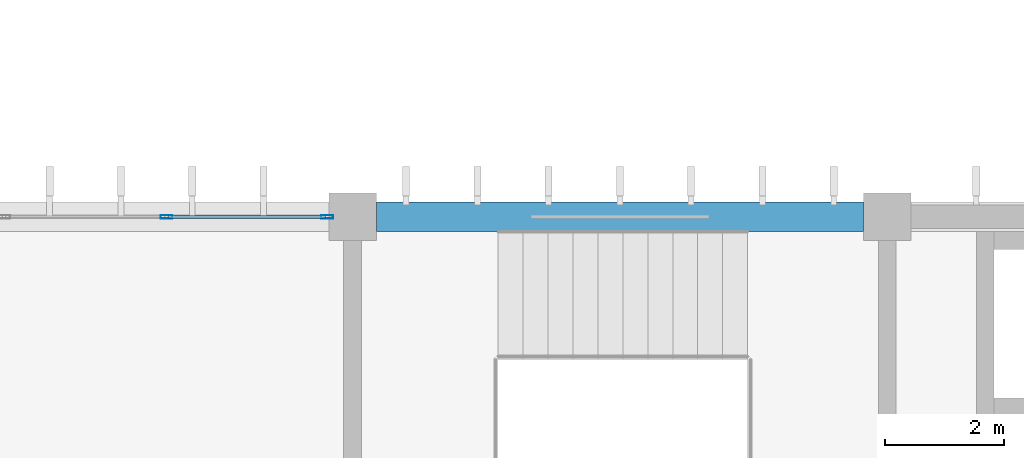
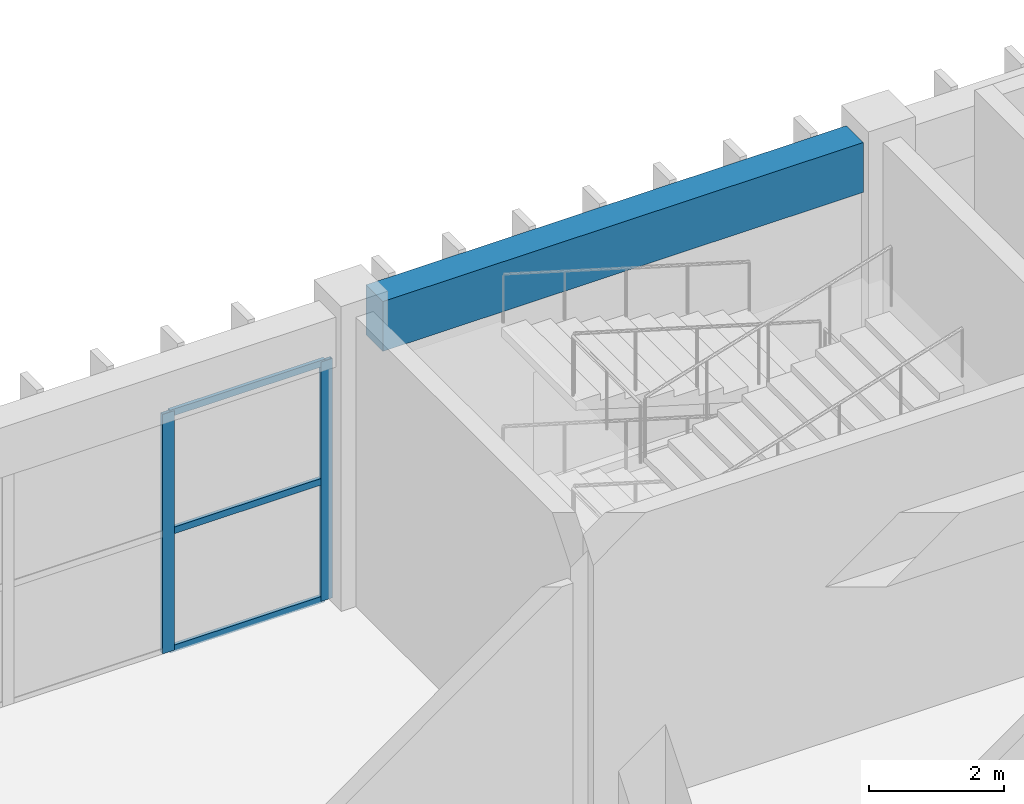
# One storey, part 83 of 185: 5 members, 1 beam, 1 element without a shape of its own.
"""IFC4 building model written with IfcOpenShell, lengths in metres."""

from ifc_helpers import new_model, si_unit, direction, frame, origin, origin_2d, place, context, subcontext, project, spatial, rectangle, hollow_rectangle, extrude, material, layer, layer_set, material_profile, profile_set, type_object, element, aggregate, save


model = new_model("IFC4")

# Units and contexts
model_context = context("Model", 3, precision=1e-05, world=origin(), true_north=direction((0.0, 1.0)))
body_context = subcontext(model_context, "Body", "Model", "MODEL_VIEW")
ifc_project = project(units=[si_unit("LENGTHUNIT", "METRE"), si_unit("AREAUNIT", "SQUARE_METRE"), si_unit("VOLUMEUNIT", "CUBIC_METRE"), si_unit("PLANEANGLEUNIT", "RADIAN"), si_unit("MASSUNIT", "GRAM", prefix="KILO")], contexts=[model_context])

# Site, building, storey
site_placement = place(None, origin())
site = spatial("IfcSite", under=ifc_project, at=site_placement, CompositionType="ELEMENT")
building_placement = place(site_placement, origin())
building = spatial("IfcBuilding", under=site, at=building_placement, Name="Opaline Strait Convention Centre", CompositionType="ELEMENT")
storey_placement = place(building_placement, frame((0.0, 0.0, 6.0)))
storey = spatial("IfcBuildingStorey", under=building, at=storey_placement, Name="L01", CompositionType="ELEMENT", Elevation=6.0)

# Curtain wall, members
ifc_material_1 = material(Name="Aluminium framed double glazing", Category="aluminium")
ifc_layer = layer(ifc_material_1, 0.199951171875)
ifc_layer_set = layer_set([ifc_layer], Name="Aluminium framed double glazing")
curtain_wall_type = type_object("IfcCurtainWallType", Name="Curtain wall 3000 module unitised", PredefinedType="NOTDEFINED", material=ifc_layer_set)
curtain_wall_placement = place(storey_placement, origin())
curtain_wall = element("IfcCurtainWall", 1, at=curtain_wall_placement, inside=storey, type_object=curtain_wall_type, Name="Curtain wall N L01 37/W", PredefinedType="NOTDEFINED")
ifc_material_2 = material(Name="Aluminium alloy 6063", Category="aluminium")
ifc_material_profile_1 = material_profile(ifc_material_2, hollow_rectangle(XDim=0.06005859375, YDim=0.199951171875, WallThickness=0.00390625, at=origin_2d()), Name="MULLION 60x200x4")
ifc_profile_set_1 = profile_set([ifc_material_profile_1], Name="Aluminium alloy 6063")
member_type_1 = type_object("IfcMemberType", Name="Curtain wall mullion 60 x 200", PredefinedType="MULLION", material=ifc_profile_set_1)
member_1_placement = place(storey_placement, frame((329.86669921875, 180.0, 0.0), z_axis=(0.0, 0.0, 1.0), x_axis=(0.0, 1.0, 0.0)))
member_1 = element("IfcMember", 2, at=member_1_placement, type_object=member_type_1, Name="MCWR1 mullion 3", PredefinedType="MULLION", context=body_context, shape_type="SweptSolid", body=[
    extrude(hollow_rectangle(XDim=0.06005859375, YDim=0.199951171875, WallThickness=0.00390625, at=origin_2d()), origin(), (0.0, 0.0, 1.0), 4.320068359375),
])
member_2_placement = place(storey_placement, frame((332.570068359375, 180.0, 0.0), z_axis=(0.0, 0.0, 1.0), x_axis=(0.0, 1.0, 0.0)))
member_2 = element("IfcMember", 3, at=member_2_placement, type_object=member_type_1, Name="MCWR1 mullion 4", PredefinedType="MULLION", context=body_context, shape_type="SweptSolid", body=[
    extrude(hollow_rectangle(XDim=0.06005859375, YDim=0.199951171875, WallThickness=0.00390625, at=origin_2d()), origin(), (0.0, 0.0, 1.0), 4.320068359375),
])
ifc_material_profile_2 = material_profile(ifc_material_2, hollow_rectangle(XDim=0.06005859375, YDim=0.1201171875, WallThickness=0.0029296875, at=origin_2d()), Name="TRANSOM 60x120x3")
ifc_profile_set_2 = profile_set([ifc_material_profile_2], Name="Aluminium alloy 6063")
member_type_2 = type_object("IfcMemberType", Name="Curtain wall transom 60 x 120", PredefinedType="USERDEFINED", material=ifc_profile_set_2)
member_3_placement = place(storey_placement, frame((329.896728515625, 180.0, 0.030029296875), z_axis=(1.0, 0.0, 0.0), x_axis=(0.0, 1.0, 0.0)))
member_3 = element("IfcMember", 4, at=member_3_placement, type_object=member_type_2, Name="MCWR1 transom 3.1", ObjectType="TRANSOM", PredefinedType="USERDEFINED", context=body_context, shape_type="SweptSolid", body=[
    extrude(hollow_rectangle(XDim=0.06005859375, YDim=0.1201171875, WallThickness=0.0029296875, at=origin_2d()), origin(), (0.0, 0.0, 1.0), 2.643310546875),
])
member_4_placement = place(storey_placement, frame((329.896728515625, 180.0, 2.159912109375), z_axis=(1.0, 0.0, 0.0), x_axis=(0.0, 1.0, 0.0)))
member_4 = element("IfcMember", 5, at=member_4_placement, type_object=member_type_2, Name="MCWR1 transom 3.2", ObjectType="TRANSOM", PredefinedType="USERDEFINED", context=body_context, shape_type="SweptSolid", body=[
    extrude(hollow_rectangle(XDim=0.06005859375, YDim=0.1201171875, WallThickness=0.0029296875, at=origin_2d()), origin(), (0.0, 0.0, 1.0), 2.643310546875),
])
member_5_placement = place(storey_placement, frame((329.896728515625, 180.0, 4.2900390625), z_axis=(1.0, 0.0, 0.0), x_axis=(0.0, 1.0, 0.0)))
member_5 = element("IfcMember", 6, at=member_5_placement, type_object=member_type_2, Name="MCWR1 transom 3.3", ObjectType="TRANSOM", PredefinedType="USERDEFINED", context=body_context, shape_type="SweptSolid", body=[
    extrude(hollow_rectangle(XDim=0.06005859375, YDim=0.1201171875, WallThickness=0.0029296875, at=origin_2d()), origin(), (0.0, 0.0, 1.0), 2.643310546875),
])
aggregate(curtain_wall, [member_1, member_2, member_3, member_4, member_5])

# Beam
ifc_material_3 = material(Name="Concrete C35", Category="concrete")
ifc_material_profile_3 = material_profile(ifc_material_3, rectangle(XDim=0.5, YDim=0.89990234375, at=origin_2d()), Name="RC 500x900")
ifc_profile_set_3 = profile_set([ifc_material_profile_3], Name="Concrete C35")
beam_type = type_object("IfcBeamType", Name="RC edge beam 500x900 C35", PredefinedType="BEAM", material=ifc_profile_set_3)
beam_placement = place(storey_placement, frame((333.39990234375, 180.0, 4.77001953125), z_axis=(1.0, 0.0, 0.0), x_axis=(0.0, 1.0, 0.0)))
element("IfcBeam", 7, at=beam_placement, inside=storey, type_object=beam_type, Name="MRB2 L01 38/W-39/W", PredefinedType="BEAM", context=body_context, shape_type="SweptSolid", body=[
    extrude(rectangle(XDim=0.5, YDim=0.89990234375, at=origin_2d()), origin(), (0.0, 0.0, 1.0), 8.2001953125),
])

save(model, "model.ifc")
